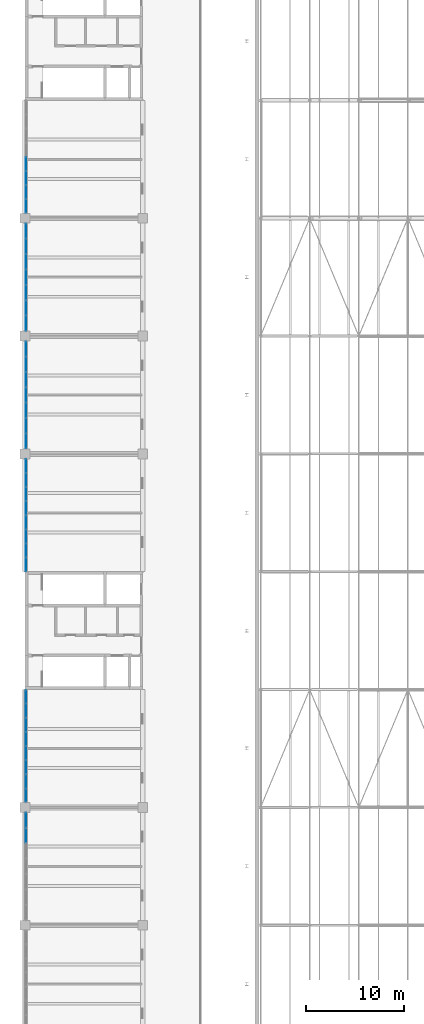
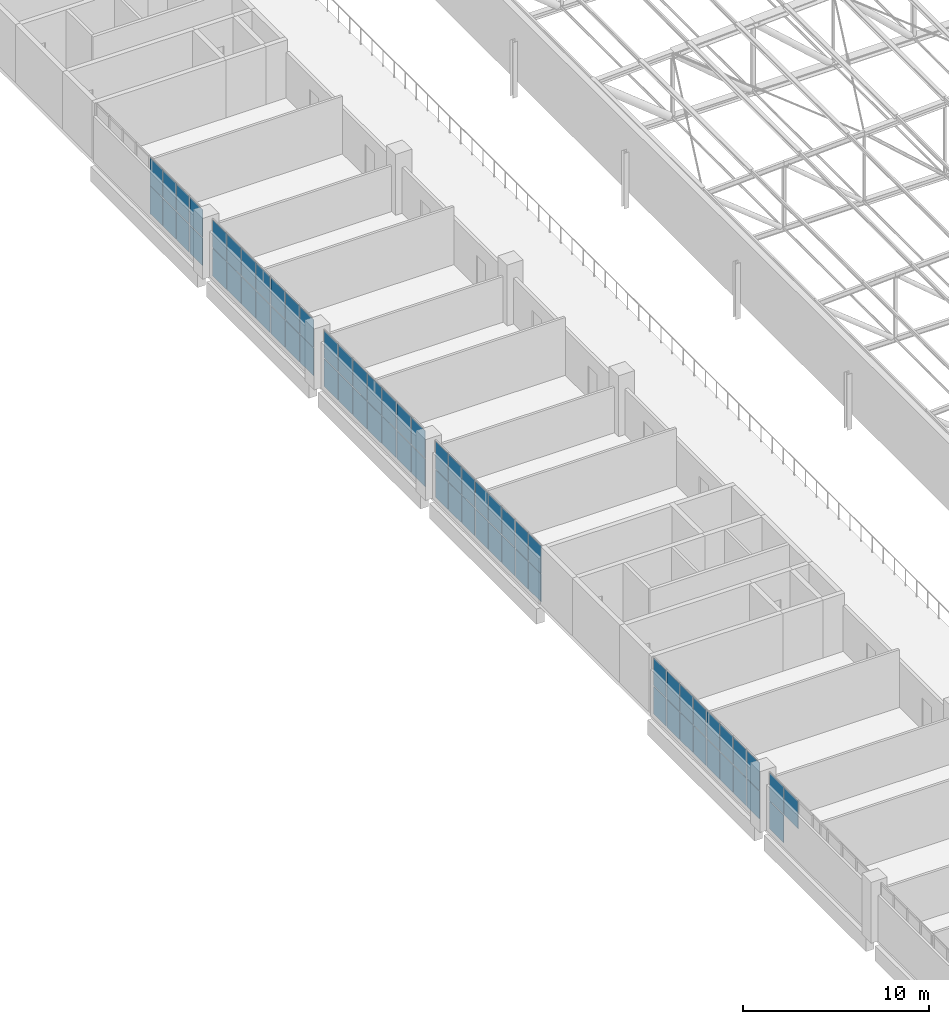
# One storey, part 135 of 156: 71 plates, 6 elements without a shape of their own.
"""IFC4 building model written with IfcOpenShell, lengths in metres."""

import ifcopenshell
import ifcopenshell.guid

model = None  # the IFC model being written
_history = None  # IfcOwnerHistory: only IFC2X3 demands one
_inside = {}  # id of a spatial element -> (the spatial element, [elements in it])
_under = {}  # id of a project, library or spatial element -> (it, [spatial elements below it])
_declared = {}  # id of a project -> (the project, [libraries it declares])
_typed = {}  # id of a type object -> (the type object, [elements of that type])
_made_of = {}  # id of a material, layer set ... -> (it, [elements and type objects made of it])


def new_model(schema):
    """Start an empty IFC model of exactly this schema.

    Asked for "IFC4X3", IfcOpenShell would pick the latest addendum, in which some entities
    have other attributes; the version numbers below select the first issue.
    IFC2X3 requires an IfcOwnerHistory on every rooted entity: one is made here for all.
    """
    global model, _history
    if schema == "IFC4X3":
        model = ifcopenshell.file(schema_version=(4, 3, 0, 0))
    else:
        model = ifcopenshell.file(schema=schema)
    _inside.clear()
    _under.clear()
    _declared.clear()
    _typed.clear()
    _made_of.clear()
    _history = None
    if model.schema == "IFC2X3":
        org = make("IfcOrganization", Name="unknown")
        user = make(
            "IfcPersonAndOrganization",
            ThePerson=make("IfcPerson", FamilyName="unknown"),
            TheOrganization=org,
        )
        app = make(
            "IfcApplication",
            ApplicationDeveloper=org,
            Version="unknown",
            ApplicationFullName="unknown",
            ApplicationIdentifier="unknown",
        )
        _history = make(
            "IfcOwnerHistory",
            OwningUser=user,
            OwningApplication=app,
            ChangeAction="ADDED",
            CreationDate=0,
        )
    return model


def make(cls, **values):
    """One entity of the class cls with the attributes given. An attribute that is None is left unset."""
    return model.create_entity(
        cls, **{name: value for name, value in values.items() if value is not None}
    )


def rooted(cls, **values):
    """An entity with a GlobalId (a new one), such as an element, a storey or a relation."""
    return make(cls, GlobalId=ifcopenshell.guid.new(), OwnerHistory=_history, **values)


def si_unit(unit_type, name, prefix=None):
    """IfcSIUnit, for example si_unit("LENGTHUNIT", "METRE", prefix="MILLI")."""
    return make("IfcSIUnit", UnitType=unit_type, Prefix=prefix, Name=name)


def assignment(units):
    """IfcUnitAssignment: the units of a project."""
    return None if units is None else make("IfcUnitAssignment", Units=units)


def point(xyz):
    """IfcCartesianPoint."""
    return None if xyz is None else make("IfcCartesianPoint", Coordinates=xyz)


def direction(xyz):
    """IfcDirection."""
    return None if xyz is None else make("IfcDirection", DirectionRatios=xyz)


def frame(location, z_axis=None, x_axis=None):
    """IfcAxis2Placement3D, a coordinate frame: its origin and axes. An axis left out is left unset."""
    return make(
        "IfcAxis2Placement3D",
        Location=point(location),
        Axis=direction(z_axis),
        RefDirection=direction(x_axis),
    )


def frame_2d(location, x_axis=None):
    """IfcAxis2Placement2D, a coordinate frame in the plane: its origin and x axis."""
    return make(
        "IfcAxis2Placement2D", Location=point(location), RefDirection=direction(x_axis)
    )


def origin():
    """The frame at (0, 0, 0) with its axes left unset."""
    return frame((0.0, 0.0, 0.0))


def origin_2d():
    """The frame at (0, 0) in the plane with its x axis left unset."""
    return frame_2d((0.0, 0.0))


def place(relative_to, where):
    """IfcLocalPlacement: puts the frame where relative to a parent placement (None: the world)."""
    return make(
        "IfcLocalPlacement", PlacementRelTo=relative_to, RelativePlacement=where
    )


def context(
    kind, dimensions, precision=None, world=None, true_north=None, identifier=None
):
    """IfcGeometricRepresentationContext, for example the 3D "Model" context."""
    return make(
        "IfcGeometricRepresentationContext",
        ContextIdentifier=identifier,
        ContextType=kind,
        CoordinateSpaceDimension=dimensions,
        Precision=precision,
        WorldCoordinateSystem=world,
        TrueNorth=true_north,
    )


def subcontext(parent, identifier, kind, view, scale=None):
    """IfcGeometricRepresentationSubContext, for example "Body" below "Model"."""
    return make(
        "IfcGeometricRepresentationSubContext",
        ContextIdentifier=identifier,
        ContextType=kind,
        ParentContext=parent,
        TargetScale=scale,
        TargetView=view,
    )


def project(units=None, contexts=None):
    """IfcProject with its units and contexts."""
    return rooted(
        "IfcProject",
        Name="project",
        RepresentationContexts=contexts,
        UnitsInContext=assignment(units),
    )


def spatial(cls, under=None, at=None, **own):
    """A site, building, storey or space (cls), placed at a placement, below another one or the project."""
    s = rooted(cls, ObjectPlacement=at, **own)
    if under is not None:
        _under.setdefault(under.id(), (under, []))[1].append(s)
    return s


def profile(cls, at=None, kind="AREA", **sizes):
    """A parametric profile (cls). Its sizes go by their IFC names, for example OverallWidth=200.0."""
    return make(cls, ProfileType=kind, Position=at, **sizes)


def rectangle(**sizes):
    """IfcRectangleProfileDef."""
    return profile("IfcRectangleProfileDef", **sizes)


def extrude(swept, where, along, depth):
    """IfcExtrudedAreaSolid: the profile swept, set in the frame where, extruded along a direction by depth."""
    return make(
        "IfcExtrudedAreaSolid",
        SweptArea=swept,
        Position=where,
        ExtrudedDirection=direction(along),
        Depth=depth,
    )


def shape(context_of_items, identifier, shape_type, items):
    """IfcShapeRepresentation: the items that make up one representation, for example the "Body"."""
    return make(
        "IfcShapeRepresentation",
        ContextOfItems=context_of_items,
        RepresentationIdentifier=identifier,
        RepresentationType=shape_type,
        Items=items,
    )


def material(Name=None, Category=None):
    """IfcMaterial."""
    return make("IfcMaterial", Name=Name, Category=Category)


def layer(
    of_material, thickness, ventilated=None, Name=None, Category=None, Priority=None
):
    """IfcMaterialLayer: one layer of a wall or slab, of a material (None: an air gap)."""
    return make(
        "IfcMaterialLayer",
        Material=of_material,
        LayerThickness=thickness,
        IsVentilated=ventilated,
        Name=Name,
        Category=Category,
        Priority=Priority,
    )


def layer_set(layers, Name=None):
    """IfcMaterialLayerSet."""
    return make("IfcMaterialLayerSet", MaterialLayers=layers, LayerSetName=Name)


def made_of(thing, what):
    """Note that an element or type object is made of a material, layer set ...; save() writes the relation."""
    if what is not None:
        _made_of.setdefault(what.id(), (what, []))[1].append(thing)
    return thing


def type_object(cls, material=None, **own):
    """A type object (cls), such as IfcWallType, which elements share."""
    return made_of(rooted(cls, **own), material)


def element(
    cls,
    number,
    at=None,
    inside=None,
    cuts=None,
    type_object=None,
    material=None,
    context=None,
    identifier="Body",
    shape_type=None,
    held_by="IfcProductDefinitionShape",
    body=None,
    shapes=None,
    **own,
):
    """One element of the class cls, such as IfcWall. Its Tag is "e" and its number.

    at: its placement. inside: the storey or other place that contains it. cuts: it is an
    opening in that element (IfcRelVoidsElement). A single representation is given by context,
    identifier, shape_type and body (its items); several are given by shapes. held_by: the class
    of the entity that holds the representations. save() writes the other relations.
    """
    e = rooted(cls, Tag="e%d" % number, ObjectPlacement=at, **own)
    if body is not None:
        shapes = [shape(context, identifier, shape_type, body)]
    if shapes is not None:
        e.Representation = make(held_by, Representations=shapes)
    if inside is not None:
        _inside.setdefault(inside.id(), (inside, []))[1].append(e)
    if cuts is not None:
        rooted(
            "IfcRelVoidsElement", RelatingBuildingElement=cuts, RelatedOpeningElement=e
        )
    if type_object is not None:
        _typed.setdefault(type_object.id(), (type_object, []))[1].append(e)
    return made_of(e, material)


def aggregate(whole, parts):
    """IfcRelAggregates: a whole, such as a stair, and the parts it consists of."""
    return rooted("IfcRelAggregates", RelatingObject=whole, RelatedObjects=parts)


def save(model, path):
    """Write the relations noted so far, then the file.

    IfcRelAggregates (storeys below a building ...), IfcRelContainedInSpatialStructure (elements
    in a storey), IfcRelDefinesByType, IfcRelAssociatesMaterial and IfcRelDeclares: one each for
    every whole, place, type object, material and project.
    """
    for whole, parts in _under.values():
        aggregate(whole, parts)
    for where, things in _inside.values():
        rooted(
            "IfcRelContainedInSpatialStructure",
            RelatedElements=things,
            RelatingStructure=where,
        )
    for kind, things in _typed.values():
        rooted("IfcRelDefinesByType", RelatedObjects=things, RelatingType=kind)
    for what, things in _made_of.values():
        rooted("IfcRelAssociatesMaterial", RelatedObjects=things, RelatingMaterial=what)
    for by, libraries in _declared.values():
        rooted("IfcRelDeclares", RelatingContext=by, RelatedDefinitions=libraries)
    model.write(path)


model = new_model("IFC4")

# Units and contexts
model_context = context("Model", 3, precision=1e-05, world=origin(), true_north=direction((0.0, 1.0)))
body_context = subcontext(model_context, "Body", "Model", "MODEL_VIEW")
ifc_project = project(units=[si_unit("LENGTHUNIT", "METRE"), si_unit("AREAUNIT", "SQUARE_METRE"), si_unit("VOLUMEUNIT", "CUBIC_METRE"), si_unit("PLANEANGLEUNIT", "RADIAN"), si_unit("MASSUNIT", "GRAM", prefix="KILO")], contexts=[model_context])

# Site, building, storey
site_placement = place(None, origin())
site = spatial("IfcSite", under=ifc_project, at=site_placement, CompositionType="ELEMENT")
building_placement = place(site_placement, origin())
building = spatial("IfcBuilding", under=site, at=building_placement, Name="Lilac Gate Convention Centre", CompositionType="ELEMENT")
storey_placement = place(building_placement, frame((0.0, 0.0, 17.0)))
storey = spatial("IfcBuildingStorey", under=building, at=storey_placement, Name="L03", CompositionType="ELEMENT", Elevation=17.0)

# Curtain wall, plates
ifc_material_1 = material(Name="Aluminium framed double glazing", Category="aluminium")
ifc_layer_1 = layer(ifc_material_1, 0.199951171875)
ifc_layer_set_1 = layer_set([ifc_layer_1], Name="Aluminium framed double glazing")
curtain_wall_type = type_object("IfcCurtainWallType", Name="Unitised curtain wall 1500", PredefinedType="NOTDEFINED", material=ifc_layer_set_1)
curtain_wall_1_placement = place(storey_placement, origin())
curtain_wall_1 = element("IfcCurtainWall", 1, at=curtain_wall_1_placement, inside=storey, type_object=curtain_wall_type, Name="Curtain wall PW L03 5", PredefinedType="NOTDEFINED")
ifc_material_2 = material(Name="Double glazed unit low emissivity")
ifc_layer_2 = layer(ifc_material_2, 0.028076171875)
ifc_layer_set_2 = layer_set([ifc_layer_2], Name="Double glazed unit low emissivity")
plate_type_1 = type_object("IfcPlateType", Name="Curtain wall glass panel 28", PredefinedType="CURTAIN_PANEL", material=ifc_layer_set_2)
plate_1_placement = place(storey_placement, frame((6.10009765625, 143.53125, 1.929931640625), z_axis=(0.0, 0.0, 1.0), x_axis=(0.0, -1.0, 0.0)))
plate_1 = element("IfcPlate", 2, at=plate_1_placement, type_object=plate_type_1, Name="CW panel 5.2", PredefinedType="CURTAIN_PANEL", context=body_context, shape_type="SweptSolid", body=[
    extrude(rectangle(XDim=1.37744140625, YDim=0.028076171875, at=origin_2d()), origin(), (0.0, 0.0, 1.0), 1.81005859375),
])
plate_2_placement = place(storey_placement, frame((6.10009765625, 142.09375, 1.929931640625), z_axis=(0.0, 0.0, 1.0), x_axis=(0.0, -1.0, 0.0)))
plate_2 = element("IfcPlate", 3, at=plate_2_placement, type_object=plate_type_1, Name="CW panel 6.2", PredefinedType="CURTAIN_PANEL", context=body_context, shape_type="SweptSolid", body=[
    extrude(rectangle(XDim=1.37744140625, YDim=0.028076171875, at=origin_2d()), origin(), (0.0, 0.0, 1.0), 1.81005859375),
])
plate_3_placement = place(storey_placement, frame((6.10009765625, 140.65625, 1.929931640625), z_axis=(0.0, 0.0, 1.0), x_axis=(0.0, -1.0, 0.0)))
plate_3 = element("IfcPlate", 4, at=plate_3_placement, type_object=plate_type_1, Name="CW panel 7.2", PredefinedType="CURTAIN_PANEL", context=body_context, shape_type="SweptSolid", body=[
    extrude(rectangle(XDim=1.37744140625, YDim=0.028076171875, at=origin_2d()), origin(), (0.0, 0.0, 1.0), 1.81005859375),
])
plate_4_placement = place(storey_placement, frame((6.10009765625, 139.233642578125, 1.929931640625), z_axis=(0.0, 0.0, 1.0), x_axis=(0.0, -1.0, 0.0)))
plate_4 = element("IfcPlate", 5, at=plate_4_placement, type_object=plate_type_1, Name="CW panel 8.2", PredefinedType="CURTAIN_PANEL", context=body_context, shape_type="SweptSolid", body=[
    extrude(rectangle(XDim=1.347412109375, YDim=0.028076171875, at=origin_2d()), origin(), (0.0, 0.0, 1.0), 1.81005859375),
])

curtain_wall_2_placement = place(storey_placement, origin())
curtain_wall_2 = element("IfcCurtainWall", 6, at=curtain_wall_2_placement, inside=storey, type_object=curtain_wall_type, Name="Curtain wall PW L03 6", PredefinedType="NOTDEFINED")
plate_5_placement = place(storey_placement, frame((6.10009765625, 136.69921875, 1.929931640625), z_axis=(0.0, 0.0, 1.0), x_axis=(0.0, -1.0, 0.0)))
plate_5 = element("IfcPlate", 7, at=plate_5_placement, type_object=plate_type_1, Name="CW panel 1.2", PredefinedType="CURTAIN_PANEL", context=body_context, shape_type="SweptSolid", body=[
    extrude(rectangle(XDim=1.4814453125, YDim=0.028076171875, at=origin_2d()), origin(), (0.0, 0.0, 1.0), 1.81005859375),
])
plate_6_placement = place(storey_placement, frame((6.10009765625, 135.142822265625, 1.929931640625), z_axis=(0.0, 0.0, 1.0), x_axis=(0.0, -1.0, 0.0)))
plate_6 = element("IfcPlate", 8, at=plate_6_placement, type_object=plate_type_1, Name="CW panel 2.2", PredefinedType="CURTAIN_PANEL", context=body_context, shape_type="SweptSolid", body=[
    extrude(rectangle(XDim=1.511474609375, YDim=0.028076171875, at=origin_2d()), origin(), (0.0, 0.0, 1.0), 1.81005859375),
])
plate_7_placement = place(storey_placement, frame((6.10009765625, 133.571533203125, 1.929931640625), z_axis=(0.0, 0.0, 1.0), x_axis=(0.0, -1.0, 0.0)))
plate_7 = element("IfcPlate", 9, at=plate_7_placement, type_object=plate_type_1, Name="CW panel 3.2", PredefinedType="CURTAIN_PANEL", context=body_context, shape_type="SweptSolid", body=[
    extrude(rectangle(XDim=1.511474609375, YDim=0.028076171875, at=origin_2d()), origin(), (0.0, 0.0, 1.0), 1.81005859375),
])
plate_8_placement = place(storey_placement, frame((6.10009765625, 132.0, 1.929931640625), z_axis=(0.0, 0.0, 1.0), x_axis=(0.0, -1.0, 0.0)))
plate_8 = element("IfcPlate", 10, at=plate_8_placement, type_object=plate_type_1, Name="CW panel 4.2", PredefinedType="CURTAIN_PANEL", context=body_context, shape_type="SweptSolid", body=[
    extrude(rectangle(XDim=1.511474609375, YDim=0.028076171875, at=origin_2d()), origin(), (0.0, 0.0, 1.0), 1.81005859375),
])
plate_9_placement = place(storey_placement, frame((6.10009765625, 130.428466796875, 1.929931640625), z_axis=(0.0, 0.0, 1.0), x_axis=(0.0, -1.0, 0.0)))
plate_9 = element("IfcPlate", 11, at=plate_9_placement, type_object=plate_type_1, Name="CW panel 5.2", PredefinedType="CURTAIN_PANEL", context=body_context, shape_type="SweptSolid", body=[
    extrude(rectangle(XDim=1.511474609375, YDim=0.028076171875, at=origin_2d()), origin(), (0.0, 0.0, 1.0), 1.81005859375),
])
plate_10_placement = place(storey_placement, frame((6.10009765625, 128.857177734375, 1.929931640625), z_axis=(0.0, 0.0, 1.0), x_axis=(0.0, -1.0, 0.0)))
plate_10 = element("IfcPlate", 12, at=plate_10_placement, type_object=plate_type_1, Name="CW panel 6.2", PredefinedType="CURTAIN_PANEL", context=body_context, shape_type="SweptSolid", body=[
    extrude(rectangle(XDim=1.511474609375, YDim=0.028076171875, at=origin_2d()), origin(), (0.0, 0.0, 1.0), 1.81005859375),
])
plate_11_placement = place(storey_placement, frame((6.10009765625, 127.30078125, 1.929931640625), z_axis=(0.0, 0.0, 1.0), x_axis=(0.0, -1.0, 0.0)))
plate_11 = element("IfcPlate", 13, at=plate_11_placement, type_object=plate_type_1, Name="CW panel 7.2", PredefinedType="CURTAIN_PANEL", context=body_context, shape_type="SweptSolid", body=[
    extrude(rectangle(XDim=1.4814453125, YDim=0.028076171875, at=origin_2d()), origin(), (0.0, 0.0, 1.0), 1.81005859375),
])

curtain_wall_3_placement = place(storey_placement, origin())
curtain_wall_3 = element("IfcCurtainWall", 14, at=curtain_wall_3_placement, inside=storey, type_object=curtain_wall_type, Name="Curtain wall PW L03 7", PredefinedType="NOTDEFINED")
plate_12_placement = place(storey_placement, frame((6.10009765625, 124.69921875, 1.929931640625), z_axis=(0.0, 0.0, 1.0), x_axis=(0.0, -1.0, 0.0)))
plate_12 = element("IfcPlate", 15, at=plate_12_placement, type_object=plate_type_1, Name="CW panel 1.2", PredefinedType="CURTAIN_PANEL", context=body_context, shape_type="SweptSolid", body=[
    extrude(rectangle(XDim=1.4814453125, YDim=0.028076171875, at=origin_2d()), origin(), (0.0, 0.0, 1.0), 1.81005859375),
])
plate_13_placement = place(storey_placement, frame((6.10009765625, 123.142822265625, 1.929931640625), z_axis=(0.0, 0.0, 1.0), x_axis=(0.0, -1.0, 0.0)))
plate_13 = element("IfcPlate", 16, at=plate_13_placement, type_object=plate_type_1, Name="CW panel 2.2", PredefinedType="CURTAIN_PANEL", context=body_context, shape_type="SweptSolid", body=[
    extrude(rectangle(XDim=1.511474609375, YDim=0.028076171875, at=origin_2d()), origin(), (0.0, 0.0, 1.0), 1.81005859375),
])
plate_14_placement = place(storey_placement, frame((6.10009765625, 121.571533203125, 1.929931640625), z_axis=(0.0, 0.0, 1.0), x_axis=(0.0, -1.0, 0.0)))
plate_14 = element("IfcPlate", 17, at=plate_14_placement, type_object=plate_type_1, Name="CW panel 3.2", PredefinedType="CURTAIN_PANEL", context=body_context, shape_type="SweptSolid", body=[
    extrude(rectangle(XDim=1.511474609375, YDim=0.028076171875, at=origin_2d()), origin(), (0.0, 0.0, 1.0), 1.81005859375),
])
plate_15_placement = place(storey_placement, frame((6.10009765625, 120.0, 1.929931640625), z_axis=(0.0, 0.0, 1.0), x_axis=(0.0, -1.0, 0.0)))
plate_15 = element("IfcPlate", 18, at=plate_15_placement, type_object=plate_type_1, Name="CW panel 4.2", PredefinedType="CURTAIN_PANEL", context=body_context, shape_type="SweptSolid", body=[
    extrude(rectangle(XDim=1.511474609375, YDim=0.028076171875, at=origin_2d()), origin(), (0.0, 0.0, 1.0), 1.81005859375),
])
plate_16_placement = place(storey_placement, frame((6.10009765625, 118.428466796875, 1.929931640625), z_axis=(0.0, 0.0, 1.0), x_axis=(0.0, -1.0, 0.0)))
plate_16 = element("IfcPlate", 19, at=plate_16_placement, type_object=plate_type_1, Name="CW panel 5.2", PredefinedType="CURTAIN_PANEL", context=body_context, shape_type="SweptSolid", body=[
    extrude(rectangle(XDim=1.511474609375, YDim=0.028076171875, at=origin_2d()), origin(), (0.0, 0.0, 1.0), 1.81005859375),
])
plate_17_placement = place(storey_placement, frame((6.10009765625, 116.857177734375, 1.929931640625), z_axis=(0.0, 0.0, 1.0), x_axis=(0.0, -1.0, 0.0)))
plate_17 = element("IfcPlate", 20, at=plate_17_placement, type_object=plate_type_1, Name="CW panel 6.2", PredefinedType="CURTAIN_PANEL", context=body_context, shape_type="SweptSolid", body=[
    extrude(rectangle(XDim=1.511474609375, YDim=0.028076171875, at=origin_2d()), origin(), (0.0, 0.0, 1.0), 1.81005859375),
])
plate_18_placement = place(storey_placement, frame((6.10009765625, 115.30078125, 1.929931640625), z_axis=(0.0, 0.0, 1.0), x_axis=(0.0, -1.0, 0.0)))
plate_18 = element("IfcPlate", 21, at=plate_18_placement, type_object=plate_type_1, Name="CW panel 7.2", PredefinedType="CURTAIN_PANEL", context=body_context, shape_type="SweptSolid", body=[
    extrude(rectangle(XDim=1.4814453125, YDim=0.028076171875, at=origin_2d()), origin(), (0.0, 0.0, 1.0), 1.81005859375),
])

curtain_wall_4_placement = place(storey_placement, origin())
curtain_wall_4 = element("IfcCurtainWall", 22, at=curtain_wall_4_placement, inside=storey, type_object=curtain_wall_type, Name="Curtain wall PW L03 8", PredefinedType="NOTDEFINED")
plate_19_placement = place(storey_placement, frame((6.10009765625, 112.766357421875, 1.929931640625), z_axis=(0.0, 0.0, 1.0), x_axis=(0.0, -1.0, 0.0)))
plate_19 = element("IfcPlate", 23, at=plate_19_placement, type_object=plate_type_1, Name="CW panel 1.2", PredefinedType="CURTAIN_PANEL", context=body_context, shape_type="SweptSolid", body=[
    extrude(rectangle(XDim=1.347412109375, YDim=0.028076171875, at=origin_2d()), origin(), (0.0, 0.0, 1.0), 1.81005859375),
])
plate_20_placement = place(storey_placement, frame((6.10009765625, 111.34375, 1.929931640625), z_axis=(0.0, 0.0, 1.0), x_axis=(0.0, -1.0, 0.0)))
plate_20 = element("IfcPlate", 24, at=plate_20_placement, type_object=plate_type_1, Name="CW panel 2.2", PredefinedType="CURTAIN_PANEL", context=body_context, shape_type="SweptSolid", body=[
    extrude(rectangle(XDim=1.37744140625, YDim=0.028076171875, at=origin_2d()), origin(), (0.0, 0.0, 1.0), 1.81005859375),
])
plate_21_placement = place(storey_placement, frame((6.10009765625, 109.90625, 1.929931640625), z_axis=(0.0, 0.0, 1.0), x_axis=(0.0, -1.0, 0.0)))
plate_21 = element("IfcPlate", 25, at=plate_21_placement, type_object=plate_type_1, Name="CW panel 3.2", PredefinedType="CURTAIN_PANEL", context=body_context, shape_type="SweptSolid", body=[
    extrude(rectangle(XDim=1.37744140625, YDim=0.028076171875, at=origin_2d()), origin(), (0.0, 0.0, 1.0), 1.81005859375),
])
plate_22_placement = place(storey_placement, frame((6.10009765625, 108.46875, 1.929931640625), z_axis=(0.0, 0.0, 1.0), x_axis=(0.0, -1.0, 0.0)))
plate_22 = element("IfcPlate", 26, at=plate_22_placement, type_object=plate_type_1, Name="CW panel 4.2", PredefinedType="CURTAIN_PANEL", context=body_context, shape_type="SweptSolid", body=[
    extrude(rectangle(XDim=1.37744140625, YDim=0.028076171875, at=origin_2d()), origin(), (0.0, 0.0, 1.0), 1.81005859375),
])
plate_23_placement = place(storey_placement, frame((6.10009765625, 107.03125, 1.929931640625), z_axis=(0.0, 0.0, 1.0), x_axis=(0.0, -1.0, 0.0)))
plate_23 = element("IfcPlate", 27, at=plate_23_placement, type_object=plate_type_1, Name="CW panel 5.2", PredefinedType="CURTAIN_PANEL", context=body_context, shape_type="SweptSolid", body=[
    extrude(rectangle(XDim=1.37744140625, YDim=0.028076171875, at=origin_2d()), origin(), (0.0, 0.0, 1.0), 1.81005859375),
])
plate_24_placement = place(storey_placement, frame((6.10009765625, 105.59375, 1.929931640625), z_axis=(0.0, 0.0, 1.0), x_axis=(0.0, -1.0, 0.0)))
plate_24 = element("IfcPlate", 28, at=plate_24_placement, type_object=plate_type_1, Name="CW panel 6.2", PredefinedType="CURTAIN_PANEL", context=body_context, shape_type="SweptSolid", body=[
    extrude(rectangle(XDim=1.37744140625, YDim=0.028076171875, at=origin_2d()), origin(), (0.0, 0.0, 1.0), 1.81005859375),
])
plate_25_placement = place(storey_placement, frame((6.10009765625, 104.15625, 1.929931640625), z_axis=(0.0, 0.0, 1.0), x_axis=(0.0, -1.0, 0.0)))
plate_25 = element("IfcPlate", 29, at=plate_25_placement, type_object=plate_type_1, Name="CW panel 7.2", PredefinedType="CURTAIN_PANEL", context=body_context, shape_type="SweptSolid", body=[
    extrude(rectangle(XDim=1.37744140625, YDim=0.028076171875, at=origin_2d()), origin(), (0.0, 0.0, 1.0), 1.81005859375),
])
plate_26_placement = place(storey_placement, frame((6.10009765625, 102.733642578125, 1.929931640625), z_axis=(0.0, 0.0, 1.0), x_axis=(0.0, -1.0, 0.0)))
plate_26 = element("IfcPlate", 30, at=plate_26_placement, type_object=plate_type_1, Name="CW panel 8.2", PredefinedType="CURTAIN_PANEL", context=body_context, shape_type="SweptSolid", body=[
    extrude(rectangle(XDim=1.347412109375, YDim=0.028076171875, at=origin_2d()), origin(), (0.0, 0.0, 1.0), 1.81005859375),
])

curtain_wall_5_placement = place(storey_placement, origin())
curtain_wall_5 = element("IfcCurtainWall", 31, at=curtain_wall_5_placement, inside=storey, type_object=curtain_wall_type, Name="Curtain wall PW L03 9", PredefinedType="NOTDEFINED")
plate_27_placement = place(storey_placement, frame((6.10009765625, 89.266357421875, 1.929931640625), z_axis=(0.0, 0.0, 1.0), x_axis=(0.0, -1.0, 0.0)))
plate_27 = element("IfcPlate", 32, at=plate_27_placement, type_object=plate_type_1, Name="CW panel 1.2", PredefinedType="CURTAIN_PANEL", context=body_context, shape_type="SweptSolid", body=[
    extrude(rectangle(XDim=1.347412109375, YDim=0.028076171875, at=origin_2d()), origin(), (0.0, 0.0, 1.0), 1.81005859375),
])
plate_28_placement = place(storey_placement, frame((6.10009765625, 87.84375, 1.929931640625), z_axis=(0.0, 0.0, 1.0), x_axis=(0.0, -1.0, 0.0)))
plate_28 = element("IfcPlate", 33, at=plate_28_placement, type_object=plate_type_1, Name="CW panel 2.2", PredefinedType="CURTAIN_PANEL", context=body_context, shape_type="SweptSolid", body=[
    extrude(rectangle(XDim=1.37744140625, YDim=0.028076171875, at=origin_2d()), origin(), (0.0, 0.0, 1.0), 1.81005859375),
])
plate_29_placement = place(storey_placement, frame((6.10009765625, 86.40625, 1.929931640625), z_axis=(0.0, 0.0, 1.0), x_axis=(0.0, -1.0, 0.0)))
plate_29 = element("IfcPlate", 34, at=plate_29_placement, type_object=plate_type_1, Name="CW panel 3.2", PredefinedType="CURTAIN_PANEL", context=body_context, shape_type="SweptSolid", body=[
    extrude(rectangle(XDim=1.37744140625, YDim=0.028076171875, at=origin_2d()), origin(), (0.0, 0.0, 1.0), 1.81005859375),
])
plate_30_placement = place(storey_placement, frame((6.10009765625, 84.96875, 1.929931640625), z_axis=(0.0, 0.0, 1.0), x_axis=(0.0, -1.0, 0.0)))
plate_30 = element("IfcPlate", 35, at=plate_30_placement, type_object=plate_type_1, Name="CW panel 4.2", PredefinedType="CURTAIN_PANEL", context=body_context, shape_type="SweptSolid", body=[
    extrude(rectangle(XDim=1.37744140625, YDim=0.028076171875, at=origin_2d()), origin(), (0.0, 0.0, 1.0), 1.81005859375),
])
plate_31_placement = place(storey_placement, frame((6.10009765625, 83.53125, 1.929931640625), z_axis=(0.0, 0.0, 1.0), x_axis=(0.0, -1.0, 0.0)))
plate_31 = element("IfcPlate", 36, at=plate_31_placement, type_object=plate_type_1, Name="CW panel 5.2", PredefinedType="CURTAIN_PANEL", context=body_context, shape_type="SweptSolid", body=[
    extrude(rectangle(XDim=1.37744140625, YDim=0.028076171875, at=origin_2d()), origin(), (0.0, 0.0, 1.0), 1.81005859375),
])
plate_32_placement = place(storey_placement, frame((6.10009765625, 82.09375, 1.929931640625), z_axis=(0.0, 0.0, 1.0), x_axis=(0.0, -1.0, 0.0)))
plate_32 = element("IfcPlate", 37, at=plate_32_placement, type_object=plate_type_1, Name="CW panel 6.2", PredefinedType="CURTAIN_PANEL", context=body_context, shape_type="SweptSolid", body=[
    extrude(rectangle(XDim=1.37744140625, YDim=0.028076171875, at=origin_2d()), origin(), (0.0, 0.0, 1.0), 1.81005859375),
])
plate_33_placement = place(storey_placement, frame((6.10009765625, 80.65625, 1.929931640625), z_axis=(0.0, 0.0, 1.0), x_axis=(0.0, -1.0, 0.0)))
plate_33 = element("IfcPlate", 38, at=plate_33_placement, type_object=plate_type_1, Name="CW panel 7.2", PredefinedType="CURTAIN_PANEL", context=body_context, shape_type="SweptSolid", body=[
    extrude(rectangle(XDim=1.37744140625, YDim=0.028076171875, at=origin_2d()), origin(), (0.0, 0.0, 1.0), 1.81005859375),
])
plate_34_placement = place(storey_placement, frame((6.10009765625, 79.233642578125, 1.929931640625), z_axis=(0.0, 0.0, 1.0), x_axis=(0.0, -1.0, 0.0)))
plate_34 = element("IfcPlate", 39, at=plate_34_placement, type_object=plate_type_1, Name="CW panel 8.2", PredefinedType="CURTAIN_PANEL", context=body_context, shape_type="SweptSolid", body=[
    extrude(rectangle(XDim=1.347412109375, YDim=0.028076171875, at=origin_2d()), origin(), (0.0, 0.0, 1.0), 1.81005859375),
])

curtain_wall_6_placement = place(storey_placement, origin())
curtain_wall_6 = element("IfcCurtainWall", 40, at=curtain_wall_6_placement, inside=storey, type_object=curtain_wall_type, Name="Curtain wall PW L03 10", PredefinedType="NOTDEFINED")
plate_35_placement = place(storey_placement, frame((6.10009765625, 76.69921875, 1.929931640625), z_axis=(0.0, 0.0, 1.0), x_axis=(0.0, -1.0, 0.0)))
plate_35 = element("IfcPlate", 41, at=plate_35_placement, type_object=plate_type_1, Name="CW panel 1.2", PredefinedType="CURTAIN_PANEL", context=body_context, shape_type="SweptSolid", body=[
    extrude(rectangle(XDim=1.4814453125, YDim=0.028076171875, at=origin_2d()), origin(), (0.0, 0.0, 1.0), 1.81005859375),
])
plate_36_placement = place(storey_placement, frame((6.10009765625, 75.142822265625, 1.929931640625), z_axis=(0.0, 0.0, 1.0), x_axis=(0.0, -1.0, 0.0)))
plate_36 = element("IfcPlate", 42, at=plate_36_placement, type_object=plate_type_1, Name="CW panel 2.2", PredefinedType="CURTAIN_PANEL", context=body_context, shape_type="SweptSolid", body=[
    extrude(rectangle(XDim=1.511474609375, YDim=0.028076171875, at=origin_2d()), origin(), (0.0, 0.0, 1.0), 1.81005859375),
])

# Plate
ifc_material_3 = material(Name="Insulated aluminium spandrel panel", Category="aluminium")
ifc_layer_3 = layer(ifc_material_3, 0.028076171875)
ifc_layer_set_3 = layer_set([ifc_layer_3], Name="Insulated aluminium spandrel panel")
plate_type_2 = type_object("IfcPlateType", Name="Curtain wall spandrel panel 28", PredefinedType="CURTAIN_PANEL", material=ifc_layer_set_3)
plate_37_placement = place(storey_placement, frame((6.10009765625, 143.53125, 0.06005859375), z_axis=(0.0, 0.0, 1.0), x_axis=(0.0, -1.0, 0.0)))
plate_37 = element("IfcPlate", 43, at=plate_37_placement, type_object=plate_type_2, Name="CW spandrel 5.1", PredefinedType="CURTAIN_PANEL", context=body_context, shape_type="SweptSolid", body=[
    extrude(rectangle(XDim=1.37744140625, YDim=0.028076171875, at=origin_2d()), origin(), (0.0, 0.0, 1.0), 1.81005859375),
])

plate_38_placement = place(storey_placement, frame((6.10009765625, 142.09375, 0.06005859375), z_axis=(0.0, 0.0, 1.0), x_axis=(0.0, -1.0, 0.0)))
plate_38 = element("IfcPlate", 44, at=plate_38_placement, type_object=plate_type_2, Name="CW spandrel 6.1", PredefinedType="CURTAIN_PANEL", context=body_context, shape_type="SweptSolid", body=[
    extrude(rectangle(XDim=1.37744140625, YDim=0.028076171875, at=origin_2d()), origin(), (0.0, 0.0, 1.0), 1.81005859375),
])

plate_39_placement = place(storey_placement, frame((6.10009765625, 140.65625, 0.06005859375), z_axis=(0.0, 0.0, 1.0), x_axis=(0.0, -1.0, 0.0)))
plate_39 = element("IfcPlate", 45, at=plate_39_placement, type_object=plate_type_2, Name="CW spandrel 7.1", PredefinedType="CURTAIN_PANEL", context=body_context, shape_type="SweptSolid", body=[
    extrude(rectangle(XDim=1.37744140625, YDim=0.028076171875, at=origin_2d()), origin(), (0.0, 0.0, 1.0), 1.81005859375),
])

plate_40_placement = place(storey_placement, frame((6.10009765625, 139.233642578125, 0.06005859375), z_axis=(0.0, 0.0, 1.0), x_axis=(0.0, -1.0, 0.0)))
plate_40 = element("IfcPlate", 46, at=plate_40_placement, type_object=plate_type_2, Name="CW spandrel 8.1", PredefinedType="CURTAIN_PANEL", context=body_context, shape_type="SweptSolid", body=[
    extrude(rectangle(XDim=1.347412109375, YDim=0.028076171875, at=origin_2d()), origin(), (0.0, 0.0, 1.0), 1.81005859375),
])

aggregate(curtain_wall_1, [plate_37, plate_1, plate_38, plate_2, plate_39, plate_3, plate_40, plate_4])

plate_41_placement = place(storey_placement, frame((6.10009765625, 136.69921875, 0.06005859375), z_axis=(0.0, 0.0, 1.0), x_axis=(0.0, -1.0, 0.0)))
plate_41 = element("IfcPlate", 47, at=plate_41_placement, type_object=plate_type_2, Name="CW spandrel 1.1", PredefinedType="CURTAIN_PANEL", context=body_context, shape_type="SweptSolid", body=[
    extrude(rectangle(XDim=1.4814453125, YDim=0.028076171875, at=origin_2d()), origin(), (0.0, 0.0, 1.0), 1.81005859375),
])

plate_42_placement = place(storey_placement, frame((6.10009765625, 135.142822265625, 0.06005859375), z_axis=(0.0, 0.0, 1.0), x_axis=(0.0, -1.0, 0.0)))
plate_42 = element("IfcPlate", 48, at=plate_42_placement, type_object=plate_type_2, Name="CW spandrel 2.1", PredefinedType="CURTAIN_PANEL", context=body_context, shape_type="SweptSolid", body=[
    extrude(rectangle(XDim=1.511474609375, YDim=0.028076171875, at=origin_2d()), origin(), (0.0, 0.0, 1.0), 1.81005859375),
])

plate_43_placement = place(storey_placement, frame((6.10009765625, 133.571533203125, 0.06005859375), z_axis=(0.0, 0.0, 1.0), x_axis=(0.0, -1.0, 0.0)))
plate_43 = element("IfcPlate", 49, at=plate_43_placement, type_object=plate_type_2, Name="CW spandrel 3.1", PredefinedType="CURTAIN_PANEL", context=body_context, shape_type="SweptSolid", body=[
    extrude(rectangle(XDim=1.511474609375, YDim=0.028076171875, at=origin_2d()), origin(), (0.0, 0.0, 1.0), 1.81005859375),
])

plate_44_placement = place(storey_placement, frame((6.10009765625, 132.0, 0.06005859375), z_axis=(0.0, 0.0, 1.0), x_axis=(0.0, -1.0, 0.0)))
plate_44 = element("IfcPlate", 50, at=plate_44_placement, type_object=plate_type_2, Name="CW spandrel 4.1", PredefinedType="CURTAIN_PANEL", context=body_context, shape_type="SweptSolid", body=[
    extrude(rectangle(XDim=1.511474609375, YDim=0.028076171875, at=origin_2d()), origin(), (0.0, 0.0, 1.0), 1.81005859375),
])

plate_45_placement = place(storey_placement, frame((6.10009765625, 130.428466796875, 0.06005859375), z_axis=(0.0, 0.0, 1.0), x_axis=(0.0, -1.0, 0.0)))
plate_45 = element("IfcPlate", 51, at=plate_45_placement, type_object=plate_type_2, Name="CW spandrel 5.1", PredefinedType="CURTAIN_PANEL", context=body_context, shape_type="SweptSolid", body=[
    extrude(rectangle(XDim=1.511474609375, YDim=0.028076171875, at=origin_2d()), origin(), (0.0, 0.0, 1.0), 1.81005859375),
])

plate_46_placement = place(storey_placement, frame((6.10009765625, 128.857177734375, 0.06005859375), z_axis=(0.0, 0.0, 1.0), x_axis=(0.0, -1.0, 0.0)))
plate_46 = element("IfcPlate", 52, at=plate_46_placement, type_object=plate_type_2, Name="CW spandrel 6.1", PredefinedType="CURTAIN_PANEL", context=body_context, shape_type="SweptSolid", body=[
    extrude(rectangle(XDim=1.511474609375, YDim=0.028076171875, at=origin_2d()), origin(), (0.0, 0.0, 1.0), 1.81005859375),
])

plate_47_placement = place(storey_placement, frame((6.10009765625, 127.30078125, 0.06005859375), z_axis=(0.0, 0.0, 1.0), x_axis=(0.0, -1.0, 0.0)))
plate_47 = element("IfcPlate", 53, at=plate_47_placement, type_object=plate_type_2, Name="CW spandrel 7.1", PredefinedType="CURTAIN_PANEL", context=body_context, shape_type="SweptSolid", body=[
    extrude(rectangle(XDim=1.4814453125, YDim=0.028076171875, at=origin_2d()), origin(), (0.0, 0.0, 1.0), 1.81005859375),
])

aggregate(curtain_wall_2, [plate_41, plate_5, plate_42, plate_6, plate_43, plate_7, plate_44, plate_8, plate_45, plate_9, plate_46, plate_10, plate_47, plate_11])

plate_48_placement = place(storey_placement, frame((6.10009765625, 124.69921875, 0.06005859375), z_axis=(0.0, 0.0, 1.0), x_axis=(0.0, -1.0, 0.0)))
plate_48 = element("IfcPlate", 54, at=plate_48_placement, type_object=plate_type_2, Name="CW spandrel 1.1", PredefinedType="CURTAIN_PANEL", context=body_context, shape_type="SweptSolid", body=[
    extrude(rectangle(XDim=1.4814453125, YDim=0.028076171875, at=origin_2d()), origin(), (0.0, 0.0, 1.0), 1.81005859375),
])

plate_49_placement = place(storey_placement, frame((6.10009765625, 123.142822265625, 0.06005859375), z_axis=(0.0, 0.0, 1.0), x_axis=(0.0, -1.0, 0.0)))
plate_49 = element("IfcPlate", 55, at=plate_49_placement, type_object=plate_type_2, Name="CW spandrel 2.1", PredefinedType="CURTAIN_PANEL", context=body_context, shape_type="SweptSolid", body=[
    extrude(rectangle(XDim=1.511474609375, YDim=0.028076171875, at=origin_2d()), origin(), (0.0, 0.0, 1.0), 1.81005859375),
])

plate_50_placement = place(storey_placement, frame((6.10009765625, 121.571533203125, 0.06005859375), z_axis=(0.0, 0.0, 1.0), x_axis=(0.0, -1.0, 0.0)))
plate_50 = element("IfcPlate", 56, at=plate_50_placement, type_object=plate_type_2, Name="CW spandrel 3.1", PredefinedType="CURTAIN_PANEL", context=body_context, shape_type="SweptSolid", body=[
    extrude(rectangle(XDim=1.511474609375, YDim=0.028076171875, at=origin_2d()), origin(), (0.0, 0.0, 1.0), 1.81005859375),
])

plate_51_placement = place(storey_placement, frame((6.10009765625, 120.0, 0.06005859375), z_axis=(0.0, 0.0, 1.0), x_axis=(0.0, -1.0, 0.0)))
plate_51 = element("IfcPlate", 57, at=plate_51_placement, type_object=plate_type_2, Name="CW spandrel 4.1", PredefinedType="CURTAIN_PANEL", context=body_context, shape_type="SweptSolid", body=[
    extrude(rectangle(XDim=1.511474609375, YDim=0.028076171875, at=origin_2d()), origin(), (0.0, 0.0, 1.0), 1.81005859375),
])

plate_52_placement = place(storey_placement, frame((6.10009765625, 118.428466796875, 0.06005859375), z_axis=(0.0, 0.0, 1.0), x_axis=(0.0, -1.0, 0.0)))
plate_52 = element("IfcPlate", 58, at=plate_52_placement, type_object=plate_type_2, Name="CW spandrel 5.1", PredefinedType="CURTAIN_PANEL", context=body_context, shape_type="SweptSolid", body=[
    extrude(rectangle(XDim=1.511474609375, YDim=0.028076171875, at=origin_2d()), origin(), (0.0, 0.0, 1.0), 1.81005859375),
])

plate_53_placement = place(storey_placement, frame((6.10009765625, 116.857177734375, 0.06005859375), z_axis=(0.0, 0.0, 1.0), x_axis=(0.0, -1.0, 0.0)))
plate_53 = element("IfcPlate", 59, at=plate_53_placement, type_object=plate_type_2, Name="CW spandrel 6.1", PredefinedType="CURTAIN_PANEL", context=body_context, shape_type="SweptSolid", body=[
    extrude(rectangle(XDim=1.511474609375, YDim=0.028076171875, at=origin_2d()), origin(), (0.0, 0.0, 1.0), 1.81005859375),
])

plate_54_placement = place(storey_placement, frame((6.10009765625, 115.30078125, 0.06005859375), z_axis=(0.0, 0.0, 1.0), x_axis=(0.0, -1.0, 0.0)))
plate_54 = element("IfcPlate", 60, at=plate_54_placement, type_object=plate_type_2, Name="CW spandrel 7.1", PredefinedType="CURTAIN_PANEL", context=body_context, shape_type="SweptSolid", body=[
    extrude(rectangle(XDim=1.4814453125, YDim=0.028076171875, at=origin_2d()), origin(), (0.0, 0.0, 1.0), 1.81005859375),
])

aggregate(curtain_wall_3, [plate_48, plate_12, plate_49, plate_13, plate_50, plate_14, plate_51, plate_15, plate_52, plate_16, plate_53, plate_17, plate_54, plate_18])

plate_55_placement = place(storey_placement, frame((6.10009765625, 112.766357421875, 0.06005859375), z_axis=(0.0, 0.0, 1.0), x_axis=(0.0, -1.0, 0.0)))
plate_55 = element("IfcPlate", 61, at=plate_55_placement, type_object=plate_type_2, Name="CW spandrel 1.1", PredefinedType="CURTAIN_PANEL", context=body_context, shape_type="SweptSolid", body=[
    extrude(rectangle(XDim=1.347412109375, YDim=0.028076171875, at=origin_2d()), origin(), (0.0, 0.0, 1.0), 1.81005859375),
])

plate_56_placement = place(storey_placement, frame((6.10009765625, 111.34375, 0.06005859375), z_axis=(0.0, 0.0, 1.0), x_axis=(0.0, -1.0, 0.0)))
plate_56 = element("IfcPlate", 62, at=plate_56_placement, type_object=plate_type_2, Name="CW spandrel 2.1", PredefinedType="CURTAIN_PANEL", context=body_context, shape_type="SweptSolid", body=[
    extrude(rectangle(XDim=1.37744140625, YDim=0.028076171875, at=origin_2d()), origin(), (0.0, 0.0, 1.0), 1.81005859375),
])

plate_57_placement = place(storey_placement, frame((6.10009765625, 109.90625, 0.06005859375), z_axis=(0.0, 0.0, 1.0), x_axis=(0.0, -1.0, 0.0)))
plate_57 = element("IfcPlate", 63, at=plate_57_placement, type_object=plate_type_2, Name="CW spandrel 3.1", PredefinedType="CURTAIN_PANEL", context=body_context, shape_type="SweptSolid", body=[
    extrude(rectangle(XDim=1.37744140625, YDim=0.028076171875, at=origin_2d()), origin(), (0.0, 0.0, 1.0), 1.81005859375),
])

plate_58_placement = place(storey_placement, frame((6.10009765625, 108.46875, 0.06005859375), z_axis=(0.0, 0.0, 1.0), x_axis=(0.0, -1.0, 0.0)))
plate_58 = element("IfcPlate", 64, at=plate_58_placement, type_object=plate_type_2, Name="CW spandrel 4.1", PredefinedType="CURTAIN_PANEL", context=body_context, shape_type="SweptSolid", body=[
    extrude(rectangle(XDim=1.37744140625, YDim=0.028076171875, at=origin_2d()), origin(), (0.0, 0.0, 1.0), 1.81005859375),
])

plate_59_placement = place(storey_placement, frame((6.10009765625, 107.03125, 0.06005859375), z_axis=(0.0, 0.0, 1.0), x_axis=(0.0, -1.0, 0.0)))
plate_59 = element("IfcPlate", 65, at=plate_59_placement, type_object=plate_type_2, Name="CW spandrel 5.1", PredefinedType="CURTAIN_PANEL", context=body_context, shape_type="SweptSolid", body=[
    extrude(rectangle(XDim=1.37744140625, YDim=0.028076171875, at=origin_2d()), origin(), (0.0, 0.0, 1.0), 1.81005859375),
])

plate_60_placement = place(storey_placement, frame((6.10009765625, 105.59375, 0.06005859375), z_axis=(0.0, 0.0, 1.0), x_axis=(0.0, -1.0, 0.0)))
plate_60 = element("IfcPlate", 66, at=plate_60_placement, type_object=plate_type_2, Name="CW spandrel 6.1", PredefinedType="CURTAIN_PANEL", context=body_context, shape_type="SweptSolid", body=[
    extrude(rectangle(XDim=1.37744140625, YDim=0.028076171875, at=origin_2d()), origin(), (0.0, 0.0, 1.0), 1.81005859375),
])

plate_61_placement = place(storey_placement, frame((6.10009765625, 104.15625, 0.06005859375), z_axis=(0.0, 0.0, 1.0), x_axis=(0.0, -1.0, 0.0)))
plate_61 = element("IfcPlate", 67, at=plate_61_placement, type_object=plate_type_2, Name="CW spandrel 7.1", PredefinedType="CURTAIN_PANEL", context=body_context, shape_type="SweptSolid", body=[
    extrude(rectangle(XDim=1.37744140625, YDim=0.028076171875, at=origin_2d()), origin(), (0.0, 0.0, 1.0), 1.81005859375),
])

plate_62_placement = place(storey_placement, frame((6.10009765625, 102.733642578125, 0.06005859375), z_axis=(0.0, 0.0, 1.0), x_axis=(0.0, -1.0, 0.0)))
plate_62 = element("IfcPlate", 68, at=plate_62_placement, type_object=plate_type_2, Name="CW spandrel 8.1", PredefinedType="CURTAIN_PANEL", context=body_context, shape_type="SweptSolid", body=[
    extrude(rectangle(XDim=1.347412109375, YDim=0.028076171875, at=origin_2d()), origin(), (0.0, 0.0, 1.0), 1.81005859375),
])

aggregate(curtain_wall_4, [plate_55, plate_19, plate_56, plate_20, plate_57, plate_21, plate_58, plate_22, plate_59, plate_23, plate_60, plate_24, plate_61, plate_25, plate_62, plate_26])

plate_63_placement = place(storey_placement, frame((6.10009765625, 89.266357421875, 0.06005859375), z_axis=(0.0, 0.0, 1.0), x_axis=(0.0, -1.0, 0.0)))
plate_63 = element("IfcPlate", 69, at=plate_63_placement, type_object=plate_type_2, Name="CW spandrel 1.1", PredefinedType="CURTAIN_PANEL", context=body_context, shape_type="SweptSolid", body=[
    extrude(rectangle(XDim=1.347412109375, YDim=0.028076171875, at=origin_2d()), origin(), (0.0, 0.0, 1.0), 1.81005859375),
])

plate_64_placement = place(storey_placement, frame((6.10009765625, 87.84375, 0.06005859375), z_axis=(0.0, 0.0, 1.0), x_axis=(0.0, -1.0, 0.0)))
plate_64 = element("IfcPlate", 70, at=plate_64_placement, type_object=plate_type_2, Name="CW spandrel 2.1", PredefinedType="CURTAIN_PANEL", context=body_context, shape_type="SweptSolid", body=[
    extrude(rectangle(XDim=1.37744140625, YDim=0.028076171875, at=origin_2d()), origin(), (0.0, 0.0, 1.0), 1.81005859375),
])

plate_65_placement = place(storey_placement, frame((6.10009765625, 86.40625, 0.06005859375), z_axis=(0.0, 0.0, 1.0), x_axis=(0.0, -1.0, 0.0)))
plate_65 = element("IfcPlate", 71, at=plate_65_placement, type_object=plate_type_2, Name="CW spandrel 3.1", PredefinedType="CURTAIN_PANEL", context=body_context, shape_type="SweptSolid", body=[
    extrude(rectangle(XDim=1.37744140625, YDim=0.028076171875, at=origin_2d()), origin(), (0.0, 0.0, 1.0), 1.81005859375),
])

plate_66_placement = place(storey_placement, frame((6.10009765625, 84.96875, 0.06005859375), z_axis=(0.0, 0.0, 1.0), x_axis=(0.0, -1.0, 0.0)))
plate_66 = element("IfcPlate", 72, at=plate_66_placement, type_object=plate_type_2, Name="CW spandrel 4.1", PredefinedType="CURTAIN_PANEL", context=body_context, shape_type="SweptSolid", body=[
    extrude(rectangle(XDim=1.37744140625, YDim=0.028076171875, at=origin_2d()), origin(), (0.0, 0.0, 1.0), 1.81005859375),
])

plate_67_placement = place(storey_placement, frame((6.10009765625, 83.53125, 0.06005859375), z_axis=(0.0, 0.0, 1.0), x_axis=(0.0, -1.0, 0.0)))
plate_67 = element("IfcPlate", 73, at=plate_67_placement, type_object=plate_type_2, Name="CW spandrel 5.1", PredefinedType="CURTAIN_PANEL", context=body_context, shape_type="SweptSolid", body=[
    extrude(rectangle(XDim=1.37744140625, YDim=0.028076171875, at=origin_2d()), origin(), (0.0, 0.0, 1.0), 1.81005859375),
])

plate_68_placement = place(storey_placement, frame((6.10009765625, 82.09375, 0.06005859375), z_axis=(0.0, 0.0, 1.0), x_axis=(0.0, -1.0, 0.0)))
plate_68 = element("IfcPlate", 74, at=plate_68_placement, type_object=plate_type_2, Name="CW spandrel 6.1", PredefinedType="CURTAIN_PANEL", context=body_context, shape_type="SweptSolid", body=[
    extrude(rectangle(XDim=1.37744140625, YDim=0.028076171875, at=origin_2d()), origin(), (0.0, 0.0, 1.0), 1.81005859375),
])

plate_69_placement = place(storey_placement, frame((6.10009765625, 80.65625, 0.06005859375), z_axis=(0.0, 0.0, 1.0), x_axis=(0.0, -1.0, 0.0)))
plate_69 = element("IfcPlate", 75, at=plate_69_placement, type_object=plate_type_2, Name="CW spandrel 7.1", PredefinedType="CURTAIN_PANEL", context=body_context, shape_type="SweptSolid", body=[
    extrude(rectangle(XDim=1.37744140625, YDim=0.028076171875, at=origin_2d()), origin(), (0.0, 0.0, 1.0), 1.81005859375),
])

plate_70_placement = place(storey_placement, frame((6.10009765625, 79.233642578125, 0.06005859375), z_axis=(0.0, 0.0, 1.0), x_axis=(0.0, -1.0, 0.0)))
plate_70 = element("IfcPlate", 76, at=plate_70_placement, type_object=plate_type_2, Name="CW spandrel 8.1", PredefinedType="CURTAIN_PANEL", context=body_context, shape_type="SweptSolid", body=[
    extrude(rectangle(XDim=1.347412109375, YDim=0.028076171875, at=origin_2d()), origin(), (0.0, 0.0, 1.0), 1.81005859375),
])

aggregate(curtain_wall_5, [plate_63, plate_27, plate_64, plate_28, plate_65, plate_29, plate_66, plate_30, plate_67, plate_31, plate_68, plate_32, plate_69, plate_33, plate_70, plate_34])

plate_71_placement = place(storey_placement, frame((6.10009765625, 76.69921875, 0.06005859375), z_axis=(0.0, 0.0, 1.0), x_axis=(0.0, -1.0, 0.0)))
plate_71 = element("IfcPlate", 77, at=plate_71_placement, type_object=plate_type_2, Name="CW spandrel 1.1", PredefinedType="CURTAIN_PANEL", context=body_context, shape_type="SweptSolid", body=[
    extrude(rectangle(XDim=1.4814453125, YDim=0.028076171875, at=origin_2d()), origin(), (0.0, 0.0, 1.0), 1.81005859375),
])

aggregate(curtain_wall_6, [plate_71, plate_35, plate_36])

save(model, "model.ifc")
